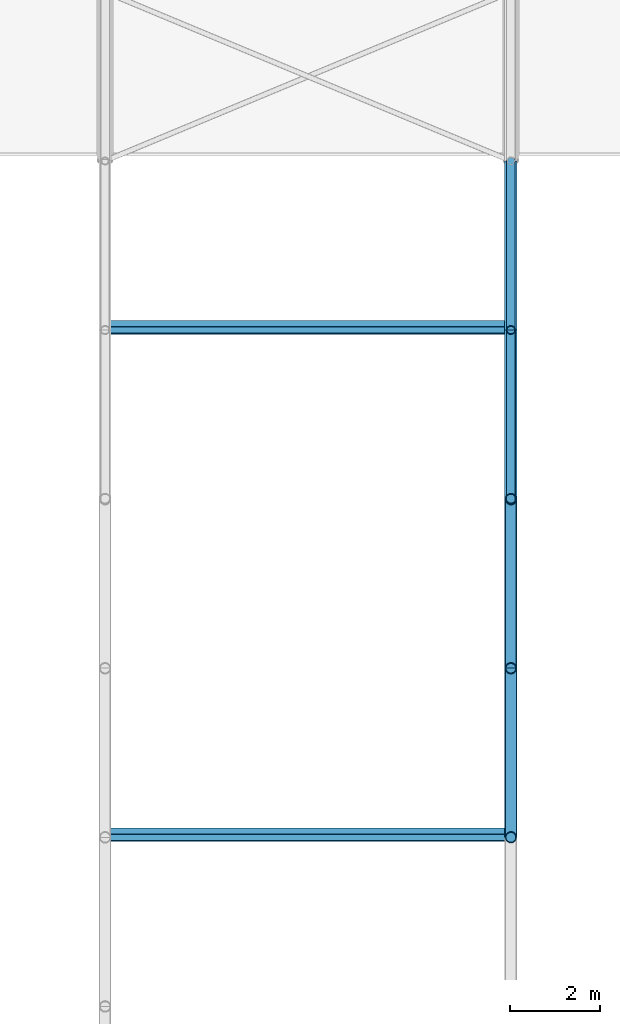
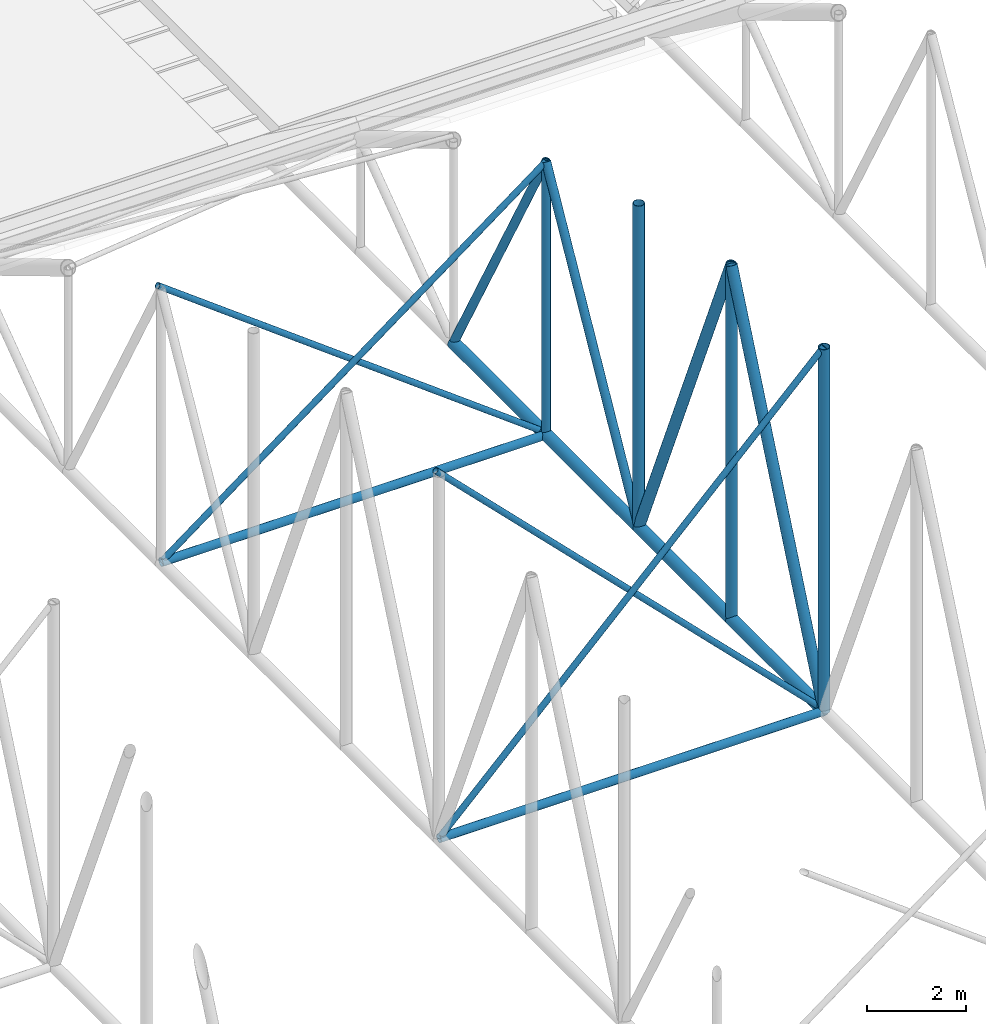
# One storey, part 33 of 153: 18 members.
"""IFC4 building model written with IfcOpenShell, lengths in metres."""

import ifcopenshell
import ifcopenshell.guid

model = None  # the IFC model being written
_history = None  # IfcOwnerHistory: only IFC2X3 demands one
_inside = {}  # id of a spatial element -> (the spatial element, [elements in it])
_under = {}  # id of a project, library or spatial element -> (it, [spatial elements below it])
_declared = {}  # id of a project -> (the project, [libraries it declares])
_typed = {}  # id of a type object -> (the type object, [elements of that type])
_made_of = {}  # id of a material, layer set ... -> (it, [elements and type objects made of it])


def new_model(schema):
    """Start an empty IFC model of exactly this schema.

    Asked for "IFC4X3", IfcOpenShell would pick the latest addendum, in which some entities
    have other attributes; the version numbers below select the first issue.
    IFC2X3 requires an IfcOwnerHistory on every rooted entity: one is made here for all.
    """
    global model, _history
    if schema == "IFC4X3":
        model = ifcopenshell.file(schema_version=(4, 3, 0, 0))
    else:
        model = ifcopenshell.file(schema=schema)
    _inside.clear()
    _under.clear()
    _declared.clear()
    _typed.clear()
    _made_of.clear()
    _history = None
    if model.schema == "IFC2X3":
        org = make("IfcOrganization", Name="unknown")
        user = make(
            "IfcPersonAndOrganization",
            ThePerson=make("IfcPerson", FamilyName="unknown"),
            TheOrganization=org,
        )
        app = make(
            "IfcApplication",
            ApplicationDeveloper=org,
            Version="unknown",
            ApplicationFullName="unknown",
            ApplicationIdentifier="unknown",
        )
        _history = make(
            "IfcOwnerHistory",
            OwningUser=user,
            OwningApplication=app,
            ChangeAction="ADDED",
            CreationDate=0,
        )
    return model


def make(cls, **values):
    """One entity of the class cls with the attributes given. An attribute that is None is left unset."""
    return model.create_entity(
        cls, **{name: value for name, value in values.items() if value is not None}
    )


def rooted(cls, **values):
    """An entity with a GlobalId (a new one), such as an element, a storey or a relation."""
    return make(cls, GlobalId=ifcopenshell.guid.new(), OwnerHistory=_history, **values)


def si_unit(unit_type, name, prefix=None):
    """IfcSIUnit, for example si_unit("LENGTHUNIT", "METRE", prefix="MILLI")."""
    return make("IfcSIUnit", UnitType=unit_type, Prefix=prefix, Name=name)


def assignment(units):
    """IfcUnitAssignment: the units of a project."""
    return None if units is None else make("IfcUnitAssignment", Units=units)


def point(xyz):
    """IfcCartesianPoint."""
    return None if xyz is None else make("IfcCartesianPoint", Coordinates=xyz)


def direction(xyz):
    """IfcDirection."""
    return None if xyz is None else make("IfcDirection", DirectionRatios=xyz)


def frame(location, z_axis=None, x_axis=None):
    """IfcAxis2Placement3D, a coordinate frame: its origin and axes. An axis left out is left unset."""
    return make(
        "IfcAxis2Placement3D",
        Location=point(location),
        Axis=direction(z_axis),
        RefDirection=direction(x_axis),
    )


def frame_2d(location, x_axis=None):
    """IfcAxis2Placement2D, a coordinate frame in the plane: its origin and x axis."""
    return make(
        "IfcAxis2Placement2D", Location=point(location), RefDirection=direction(x_axis)
    )


def origin():
    """The frame at (0, 0, 0) with its axes left unset."""
    return frame((0.0, 0.0, 0.0))


def origin_2d():
    """The frame at (0, 0) in the plane with its x axis left unset."""
    return frame_2d((0.0, 0.0))


def place(relative_to, where):
    """IfcLocalPlacement: puts the frame where relative to a parent placement (None: the world)."""
    return make(
        "IfcLocalPlacement", PlacementRelTo=relative_to, RelativePlacement=where
    )


def context(
    kind, dimensions, precision=None, world=None, true_north=None, identifier=None
):
    """IfcGeometricRepresentationContext, for example the 3D "Model" context."""
    return make(
        "IfcGeometricRepresentationContext",
        ContextIdentifier=identifier,
        ContextType=kind,
        CoordinateSpaceDimension=dimensions,
        Precision=precision,
        WorldCoordinateSystem=world,
        TrueNorth=true_north,
    )


def subcontext(parent, identifier, kind, view, scale=None):
    """IfcGeometricRepresentationSubContext, for example "Body" below "Model"."""
    return make(
        "IfcGeometricRepresentationSubContext",
        ContextIdentifier=identifier,
        ContextType=kind,
        ParentContext=parent,
        TargetScale=scale,
        TargetView=view,
    )


def project(units=None, contexts=None):
    """IfcProject with its units and contexts."""
    return rooted(
        "IfcProject",
        Name="project",
        RepresentationContexts=contexts,
        UnitsInContext=assignment(units),
    )


def spatial(cls, under=None, at=None, **own):
    """A site, building, storey or space (cls), placed at a placement, below another one or the project."""
    s = rooted(cls, ObjectPlacement=at, **own)
    if under is not None:
        _under.setdefault(under.id(), (under, []))[1].append(s)
    return s


def profile(cls, at=None, kind="AREA", **sizes):
    """A parametric profile (cls). Its sizes go by their IFC names, for example OverallWidth=200.0."""
    return make(cls, ProfileType=kind, Position=at, **sizes)


def hollow_circle(**sizes):
    """IfcCircleHollowProfileDef."""
    return profile("IfcCircleHollowProfileDef", **sizes)


def extrude(swept, where, along, depth):
    """IfcExtrudedAreaSolid: the profile swept, set in the frame where, extruded along a direction by depth."""
    return make(
        "IfcExtrudedAreaSolid",
        SweptArea=swept,
        Position=where,
        ExtrudedDirection=direction(along),
        Depth=depth,
    )


def shape(context_of_items, identifier, shape_type, items):
    """IfcShapeRepresentation: the items that make up one representation, for example the "Body"."""
    return make(
        "IfcShapeRepresentation",
        ContextOfItems=context_of_items,
        RepresentationIdentifier=identifier,
        RepresentationType=shape_type,
        Items=items,
    )


def material(Name=None, Category=None):
    """IfcMaterial."""
    return make("IfcMaterial", Name=Name, Category=Category)


def material_profile(
    of_material, cross_section, Name=None, Category=None, Priority=None
):
    """IfcMaterialProfile: a cross section and its material."""
    return make(
        "IfcMaterialProfile",
        Name=Name,
        Material=of_material,
        Profile=cross_section,
        Priority=Priority,
        Category=Category,
    )


def profile_set(profiles, Name=None, composite=None):
    """IfcMaterialProfileSet."""
    return make(
        "IfcMaterialProfileSet",
        Name=Name,
        MaterialProfiles=profiles,
        CompositeProfile=composite,
    )


def made_of(thing, what):
    """Note that an element or type object is made of a material, layer set ...; save() writes the relation."""
    if what is not None:
        _made_of.setdefault(what.id(), (what, []))[1].append(thing)
    return thing


def type_object(cls, material=None, **own):
    """A type object (cls), such as IfcWallType, which elements share."""
    return made_of(rooted(cls, **own), material)


def element(
    cls,
    number,
    at=None,
    inside=None,
    cuts=None,
    type_object=None,
    material=None,
    context=None,
    identifier="Body",
    shape_type=None,
    held_by="IfcProductDefinitionShape",
    body=None,
    shapes=None,
    **own,
):
    """One element of the class cls, such as IfcWall. Its Tag is "e" and its number.

    at: its placement. inside: the storey or other place that contains it. cuts: it is an
    opening in that element (IfcRelVoidsElement). A single representation is given by context,
    identifier, shape_type and body (its items); several are given by shapes. held_by: the class
    of the entity that holds the representations. save() writes the other relations.
    """
    e = rooted(cls, Tag="e%d" % number, ObjectPlacement=at, **own)
    if body is not None:
        shapes = [shape(context, identifier, shape_type, body)]
    if shapes is not None:
        e.Representation = make(held_by, Representations=shapes)
    if inside is not None:
        _inside.setdefault(inside.id(), (inside, []))[1].append(e)
    if cuts is not None:
        rooted(
            "IfcRelVoidsElement", RelatingBuildingElement=cuts, RelatedOpeningElement=e
        )
    if type_object is not None:
        _typed.setdefault(type_object.id(), (type_object, []))[1].append(e)
    return made_of(e, material)


def aggregate(whole, parts):
    """IfcRelAggregates: a whole, such as a stair, and the parts it consists of."""
    return rooted("IfcRelAggregates", RelatingObject=whole, RelatedObjects=parts)


def save(model, path):
    """Write the relations noted so far, then the file.

    IfcRelAggregates (storeys below a building ...), IfcRelContainedInSpatialStructure (elements
    in a storey), IfcRelDefinesByType, IfcRelAssociatesMaterial and IfcRelDeclares: one each for
    every whole, place, type object, material and project.
    """
    for whole, parts in _under.values():
        aggregate(whole, parts)
    for where, things in _inside.values():
        rooted(
            "IfcRelContainedInSpatialStructure",
            RelatedElements=things,
            RelatingStructure=where,
        )
    for kind, things in _typed.values():
        rooted("IfcRelDefinesByType", RelatedObjects=things, RelatingType=kind)
    for what, things in _made_of.values():
        rooted("IfcRelAssociatesMaterial", RelatedObjects=things, RelatingMaterial=what)
    for by, libraries in _declared.values():
        rooted("IfcRelDeclares", RelatingContext=by, RelatedDefinitions=libraries)
    model.write(path)


model = new_model("IFC4")

# Units and contexts
model_context = context("Model", 3, precision=1e-05, world=origin(), true_north=direction((0.0, 1.0)))
body_context = subcontext(model_context, "Body", "Model", "MODEL_VIEW")
ifc_project = project(units=[si_unit("LENGTHUNIT", "METRE"), si_unit("AREAUNIT", "SQUARE_METRE"), si_unit("VOLUMEUNIT", "CUBIC_METRE"), si_unit("PLANEANGLEUNIT", "RADIAN"), si_unit("MASSUNIT", "GRAM", prefix="KILO")], contexts=[model_context])

# Site, building, storey
site_placement = place(None, origin())
site = spatial("IfcSite", under=ifc_project, at=site_placement, CompositionType="ELEMENT")
building_placement = place(site_placement, origin())
building = spatial("IfcBuilding", under=site, at=building_placement, Name="Baradari Gate Terminus", CompositionType="ELEMENT")
storey_placement = place(building_placement, frame((0.0, 0.0, 11.699951171875)))
storey = spatial("IfcBuildingStorey", under=building, at=storey_placement, Name="L02", CompositionType="ELEMENT", Elevation=11.699951171875)

# Members
ifc_material_1 = material(Name="Steel S355", Category="steel")
ifc_material_profile_1 = material_profile(ifc_material_1, hollow_circle(Radius=0.136474609375, WallThickness=0.012451171875, at=origin_2d()), Name="CHS 273x12.5")
ifc_profile_set_1 = profile_set([ifc_material_profile_1], Name="Steel S355")
member_type_1 = type_object("IfcMemberType", Name="Shed bottom chord CHS 273x12.5", PredefinedType="CHORD", material=ifc_profile_set_1)
for number, where, z_axis, x_axis, name in (
    (1, (126.0, 58.5, 0.136474609375), (0.0, 1.0, 0.0), (-1.0, 0.0, 0.0), "TR/L02/S126-BC06"),
    (2, (126.0, 62.25, 0.136474609375), (0.0, 1.0, 0.0), (-1.0, 0.0, 0.0), "TR/L02/S126-BC07"),
    (3, (126.0, 66.0, 0.136474609375), (0.0, 1.0, 0.0), (-1.0, 0.0, 0.0), "TR/L02/S126-BC08"),
    (4, (126.0, 69.75, 0.136474609375), (0.0, 1.0, 0.0), (-1.0, 0.0, 0.0), "TR/L02/S126-BC09"),
):
    element("IfcMember", number, at=place(storey_placement, frame(where, z_axis=z_axis, x_axis=x_axis)), inside=storey, type_object=member_type_1, Name=name, PredefinedType="CHORD", context=body_context, shape_type="SweptSolid", body=[
        extrude(hollow_circle(Radius=0.136474609375, WallThickness=0.012451171875, at=origin_2d()), origin(), (0.0, 0.0, 1.0), 3.75),
    ])
ifc_material_2 = material(Name="Steel S355", Category="steel")
ifc_material_profile_2 = material_profile(ifc_material_2, hollow_circle(Radius=0.096923828125, WallThickness=0.008056640625, at=origin_2d()), Name="CHS 193.7x8")
ifc_profile_set_2 = profile_set([ifc_material_profile_2], Name="Steel S355")
member_type_2 = type_object("IfcMemberType", Name="Shed bottom strut CHS 193.7x8", PredefinedType="STRUT", material=ifc_profile_set_2)
for number, where, z_axis, x_axis, name in (
    (5, (117.0, 58.5, 0.136474609375), (1.0, 0.0, 0.0), (0.0, 1.0, 0.0), "TR/L02/B126-ST06"),
    (6, (117.0, 69.75, 0.136474609375), (1.0, 0.0, 0.0), (0.0, 1.0, 0.0), "TR/L02/B126-ST09"),
):
    element("IfcMember", number, at=place(storey_placement, frame(where, z_axis=z_axis, x_axis=x_axis)), inside=storey, type_object=member_type_2, Name=name, PredefinedType="STRUT", context=body_context, shape_type="SweptSolid", body=[
        extrude(hollow_circle(Radius=0.096923828125, WallThickness=0.008056640625, at=origin_2d()), origin(), (0.0, 0.0, 1.0), 9.0),
    ])
ifc_material_3 = material(Name="Steel S355", Category="steel")
ifc_material_profile_3 = material_profile(ifc_material_3, hollow_circle(Radius=0.096923828125, WallThickness=0.008056640625, at=origin_2d()), Name="CHS 193.7x8")
ifc_profile_set_3 = profile_set([ifc_material_profile_3], Name="Steel S355")
member_type_3 = type_object("IfcMemberType", Name="Shed truss diagonal CHS 193.7x8", PredefinedType="BRACE", material=ifc_profile_set_3)
for number, where, z_axis, x_axis, name in (
    (7, (126.0, 69.75, 6.886474609375), (0.0, -0.485642931179, -0.874157276122), (1.0, 0.0, 0.0), "TR/L02/S126-SD08"),
    (8, (126.0, 69.75, 6.886474609375), (0.0, 0.485642931179, -0.874157276122), (-1.0, 0.0, 0.0), "TR/L02/S126-SD09"),
):
    element("IfcMember", number, at=place(storey_placement, frame(where, z_axis=z_axis, x_axis=x_axis)), inside=storey, type_object=member_type_3, Name=name, PredefinedType="BRACE", context=body_context, shape_type="SweptSolid", body=[
        extrude(hollow_circle(Radius=0.096923828125, WallThickness=0.008056640625, at=origin_2d()), origin(), (0.0, 0.0, 1.0), 7.7216796875),
    ])
ifc_material_4 = material(Name="Steel S355", Category="steel")
ifc_material_profile_4 = material_profile(ifc_material_4, hollow_circle(Radius=0.122314453125, WallThickness=0.010009765625, at=origin_2d()), Name="CHS 244.5x10")
ifc_profile_set_4 = profile_set([ifc_material_profile_4], Name="Steel S355")
member_type_4 = type_object("IfcMemberType", Name="Shed truss diagonal CHS 244.5x10", PredefinedType="BRACE", material=ifc_profile_set_4)
for number, where, z_axis, x_axis, name in (
    (9, (126.0, 62.25, 8.886474609375), (0.0, -0.393919298579, -0.919145030018), (1.0, 0.0, 0.0), "TR/L02/S126-SD06"),
    (10, (126.0, 62.25, 8.886474609375), (0.0, 0.393919298579, -0.919145030018), (-1.0, 0.0, 0.0), "TR/L02/S126-SD07"),
):
    element("IfcMember", number, at=place(storey_placement, frame(where, z_axis=z_axis, x_axis=x_axis)), inside=storey, type_object=member_type_4, Name=name, PredefinedType="BRACE", context=body_context, shape_type="SweptSolid", body=[
        extrude(hollow_circle(Radius=0.122314453125, WallThickness=0.010009765625, at=origin_2d()), origin(), (0.0, 0.0, 1.0), 9.519775390625),
    ])
ifc_material_5 = material(Name="Steel S355", Category="steel")
ifc_material_profile_5 = material_profile(ifc_material_5, hollow_circle(Radius=0.096923828125, WallThickness=0.008056640625, at=origin_2d()), Name="CHS 193.7x8")
ifc_profile_set_5 = profile_set([ifc_material_profile_5], Name="Steel S355")
member_type_5 = type_object("IfcMemberType", Name="Shed truss post CHS 193.7x8", PredefinedType="POST", material=ifc_profile_set_5)
member_1_placement = place(storey_placement, frame((126.0, 69.75, 0.136474609375), z_axis=(0.0, 0.0, 1.0), x_axis=(1.0, 0.0, 0.0)))
element("IfcMember", 11, at=member_1_placement, inside=storey, type_object=member_type_5, Name="TR/L02/S126-SP09", PredefinedType="POST", context=body_context, shape_type="SweptSolid", body=[
    extrude(hollow_circle(Radius=0.096923828125, WallThickness=0.008056640625, at=origin_2d()), origin(), (0.0, 0.0, 1.0), 6.75),
])
ifc_material_6 = material(Name="Steel S355", Category="steel")
ifc_material_profile_6 = material_profile(ifc_material_6, hollow_circle(Radius=0.122314453125, WallThickness=0.010009765625, at=origin_2d()), Name="CHS 244.5x10")
ifc_profile_set_6 = profile_set([ifc_material_profile_6], Name="Steel S355")
member_type_6 = type_object("IfcMemberType", Name="Shed truss post CHS 244.5x10", PredefinedType="POST", material=ifc_profile_set_6)
member_2_placement = place(storey_placement, frame((126.0, 58.5, 0.136474609375), z_axis=(0.0, 0.0, 1.0), x_axis=(1.0, 0.0, 0.0)))
element("IfcMember", 12, at=member_2_placement, inside=storey, type_object=member_type_6, Name="TR/L02/S126-SP06", PredefinedType="POST", context=body_context, shape_type="SweptSolid", body=[
    extrude(hollow_circle(Radius=0.122314453125, WallThickness=0.010009765625, at=origin_2d()), origin(), (0.0, 0.0, 1.0), 9.0),
])
member_3_placement = place(storey_placement, frame((126.0, 62.25, 0.136474609375), z_axis=(0.0, 0.0, 1.0), x_axis=(1.0, 0.0, 0.0)))
element("IfcMember", 13, at=member_3_placement, inside=storey, type_object=member_type_6, Name="TR/L02/S126-SP07", PredefinedType="POST", context=body_context, shape_type="SweptSolid", body=[
    extrude(hollow_circle(Radius=0.122314453125, WallThickness=0.010009765625, at=origin_2d()), origin(), (0.0, 0.0, 1.0), 8.75),
])
member_4_placement = place(storey_placement, frame((126.0, 66.0, 0.136474609375), z_axis=(0.0, 0.0, 1.0), x_axis=(1.0, 0.0, 0.0)))
element("IfcMember", 14, at=member_4_placement, inside=storey, type_object=member_type_6, Name="TR/L02/S126-SP08", PredefinedType="POST", context=body_context, shape_type="SweptSolid", body=[
    extrude(hollow_circle(Radius=0.122314453125, WallThickness=0.010009765625, at=origin_2d()), origin(), (0.0, 0.0, 1.0), 8.0),
])
ifc_material_7 = material(Name="Steel S355", Category="steel")
ifc_material_profile_7 = material_profile(ifc_material_7, hollow_circle(Radius=0.06982421875, WallThickness=0.008056640625, at=origin_2d()), Name="CHS 139.7x8")
ifc_profile_set_7 = profile_set([ifc_material_profile_7], Name="Steel S355")
member_type_7 = type_object("IfcMemberType", Name="Shed vertical brace CHS 139.7x8", PredefinedType="BRACE", material=ifc_profile_set_7)
for number, where, z_axis, x_axis, name in (
    (15, (117.0, 58.5, 0.136474609375), (0.707106781187, 0.0, 0.707106781187), (0.0, 1.0, 0.0), "TR/L02/B126-VB06A"),
    (16, (117.0, 58.6396484375, 9.136474609375), (0.707106781187, 0.0, -0.707106781187), (0.0, 1.0, 0.0), "TR/L02/B126-VB06B"),
):
    element("IfcMember", number, at=place(storey_placement, frame(where, z_axis=z_axis, x_axis=x_axis)), inside=storey, type_object=member_type_7, Name=name, PredefinedType="BRACE", context=body_context, shape_type="SweptSolid", body=[
        extrude(hollow_circle(Radius=0.06982421875, WallThickness=0.008056640625, at=origin_2d()), origin(), (0.0, 0.0, 1.0), 12.72802734375),
    ])
for number, where, z_axis, x_axis, name in (
    (17, (117.0, 69.75, 0.136474609375), (0.8, 0.0, 0.6), (0.0, 1.0, 0.0), "TR/L02/B126-VB09A"),
    (18, (117.0, 69.8896484375, 6.886474609375), (0.8, 0.0, -0.6), (0.0, 1.0, 0.0), "TR/L02/B126-VB09B"),
):
    element("IfcMember", number, at=place(storey_placement, frame(where, z_axis=z_axis, x_axis=x_axis)), inside=storey, type_object=member_type_7, Name=name, PredefinedType="BRACE", context=body_context, shape_type="SweptSolid", body=[
        extrude(hollow_circle(Radius=0.06982421875, WallThickness=0.008056640625, at=origin_2d()), origin(), (0.0, 0.0, 1.0), 11.25),
    ])

save(model, "model.ifc")
